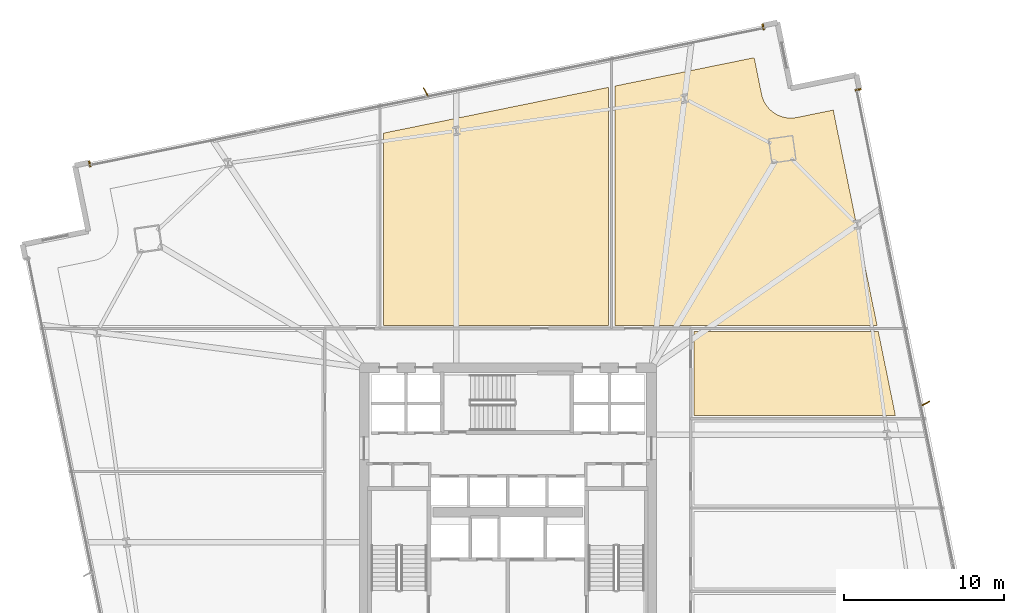
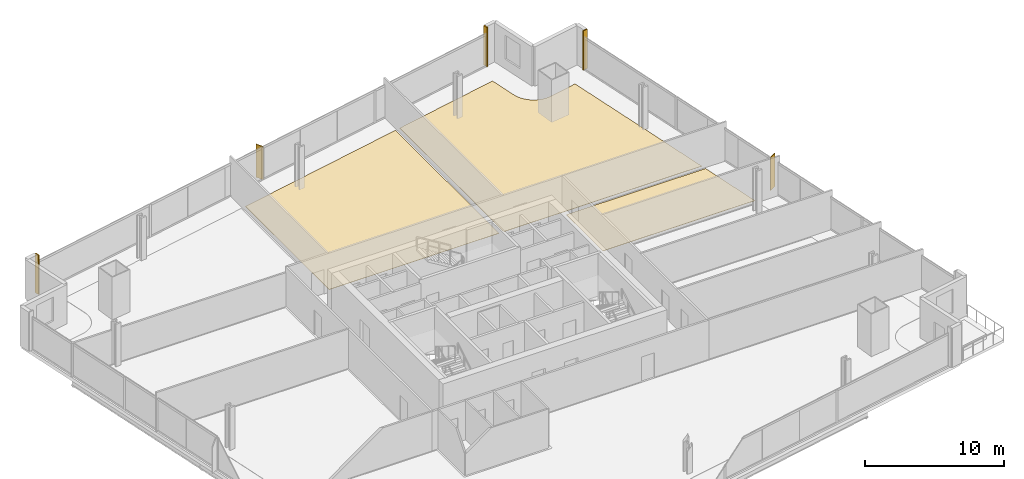
# One storey, part 33 of 33: 6 coverings, 2 shading devices.
"""IFC4 building model written with IfcOpenShell, lengths in metres."""

from ifc_helpers import new_model, si_unit, direction, frame, origin, origin_2d, place, context, subcontext, project, spatial, polyline, rectangle, outline, extrude, source, transform, mapped, material, layer, layer_set, type_object, element, save


model = new_model("IFC4")

# Units and contexts
model_context = context("Model", 3, precision=1e-05, world=origin(), true_north=direction((0.0, 1.0)))
body_context = subcontext(model_context, "Body", "Model", "MODEL_VIEW")
ifc_project = project(units=[si_unit("LENGTHUNIT", "METRE"), si_unit("AREAUNIT", "SQUARE_METRE"), si_unit("VOLUMEUNIT", "CUBIC_METRE"), si_unit("PLANEANGLEUNIT", "RADIAN"), si_unit("MASSUNIT", "GRAM", prefix="KILO")], contexts=[model_context])

# Site, building, storey
site_placement = place(None, origin())
site = spatial("IfcSite", under=ifc_project, at=site_placement, CompositionType="ELEMENT")
building_placement = place(site_placement, origin())
building = spatial("IfcBuilding", under=site, at=building_placement, Name="Haldenkirk Collegiate Tower", CompositionType="ELEMENT")
storey_placement = place(building_placement, frame((0.0, 0.0, 66.449951171875)))
storey = spatial("IfcBuildingStorey", under=building, at=storey_placement, Name="L15", CompositionType="ELEMENT", Elevation=66.449951171875)

# Coverings
ifc_material_1 = material(Name="Polished collegiate terrazzo", Category="concrete")
ifc_layer_1 = layer(ifc_material_1, 0.02490234375)
ifc_layer_set_1 = layer_set([ifc_layer_1], Name="Polished collegiate terrazzo")
covering_type_1 = type_object("IfcCoveringType", Name="COV-FLOOR-TERRAZZO", PredefinedType="FLOORING", material=ifc_layer_set_1)
covering_1_placement = place(storey_placement, origin())
element("IfcCovering", 1, at=covering_1_placement, inside=storey, type_object=covering_type_1, Name="L15 academic room finish 04", PredefinedType="FLOORING", context=body_context, shape_type="SweptSolid", body=[
    extrude(outline(polyline([(51.42578125, 53.405517578125), (51.890380859375, 51.122314453125), (51.8916015625, 51.11669921875), (51.93408203125, 50.9501953125), (51.937744140625, 50.93896484375), (51.996337890625, 50.777587890625), (52.000732421875, 50.7666015625), (52.074951171875, 50.61181640625), (52.08056640625, 50.601318359375), (52.16943359375, 50.45458984375), (52.176025390625, 50.444580078125), (52.27880859375, 50.30712890625), (52.28662109375, 50.298095703125), (52.40234375, 50.17138671875), (52.41064453125, 50.1630859375), (52.538330078125, 50.04833984375), (52.547607421875, 50.041015625), (52.685791015625, 49.939208984375), (52.69580078125, 49.9326171875), (52.843505859375, 49.84521484375), (52.853759765625, 49.839599609375), (53.009521484375, 49.766845703125), (53.0205078125, 49.76220703125), (53.182373046875, 49.705078125), (53.193603515625, 49.701904296875), (53.3603515625, 49.660888671875), (53.371826171875, 49.65869140625), (53.5419921875, 49.634033203125), (53.5537109375, 49.633056640625), (53.72509765625, 49.625244140625), (53.73681640625, 49.62548828125), (53.908447265625, 49.634521484375), (53.920166015625, 49.6357421875), (54.08984375, 49.66162109375), (54.095703125, 49.66259765625), (56.37890625, 50.127197265625), (59.120849609375, 36.64990234375), (42.699951171875, 36.64990234375), (42.699951171875, 51.63037109375), (51.42578125, 53.405517578125)])), origin(), (0.0, 0.0, 1.0), 0.025146484375),
])
covering_2_placement = place(storey_placement, origin())
element("IfcCovering", 2, at=covering_2_placement, inside=storey, type_object=covering_type_1, Name="L15 academic room finish 10", PredefinedType="FLOORING", context=body_context, shape_type="SweptSolid", body=[
    extrude(outline(polyline([(60.2705078125, 31.0), (47.64990234375, 31.0), (47.64990234375, 36.25), (59.202392578125, 36.25), (60.2705078125, 31.0)])), origin(), (0.0, 0.0, 1.0), 0.025146484375),
])
ifc_material_2 = material(Name="Engineered collegiate oak acoustic flooring", Category="wood")
ifc_layer_2 = layer(ifc_material_2, 0.02197265625)
ifc_layer_set_2 = layer_set([ifc_layer_2], Name="Engineered collegiate oak acoustic flooring")
covering_type_2 = type_object("IfcCoveringType", Name="COV-FLOOR-TIMBER", PredefinedType="FLOORING", material=ifc_layer_set_2)
covering_3_placement = place(storey_placement, origin())
element("IfcCovering", 3, at=covering_3_placement, inside=storey, type_object=covering_type_2, Name="L15 academic room finish 03", PredefinedType="FLOORING", context=body_context, shape_type="SweptSolid", body=[
    extrude(outline(polyline([(42.300048828125, 51.548828125), (42.300048828125, 36.64990234375), (28.199951171875, 36.64990234375), (28.199951171875, 48.680419921875), (42.300048828125, 51.548828125)])), origin(), (0.0, 0.0, 1.0), 0.02197265625),
])
ifc_material_3 = material(Name="Anodised architectural bronze aluminium", Category="aluminium")
ifc_layer_3 = layer(ifc_material_3, 0.06005859375)
ifc_layer_set_3 = layer_set([ifc_layer_3], Name="Anodised architectural bronze aluminium")
covering_type_3 = type_object("IfcCoveringType", Name="COV-CLAD-BRONZE-60", PredefinedType="CLADDING", material=ifc_layer_set_3)
shared_shape_1 = source(origin(), body_context, "Body", "SweptSolid", [
    extrude(rectangle(XDim=0.10009765625, YDim=0.3798828125, at=origin_2d()), origin(), (0.0, 0.0, 1.0), 3.43994140625),
])
for number, where, z_axis, x_axis, name in (
    (4, (57.935791015625, 51.4033203125, 0.0), (0.0, 0.0, 1.0), (0.199367934417, -0.979924704621, 0.0), "L15 recessed curtain-wall bronze jamb closure EJL"),
    (5, (9.816162109375, 46.756591796875, 0.0), (0.0, 0.0, 1.0), (0.979924704621, 0.199367934417, 0.0), "L15 recessed curtain-wall bronze jamb closure NJL"),
    (6, (51.9921875, 55.33740234375, 0.0), (0.0, 0.0, 1.0), (0.979924704621, 0.199367934417, 0.0), "L15 recessed curtain-wall bronze jamb closure NJR"),
):
    element("IfcCovering", number, at=place(storey_placement, frame(where, z_axis=z_axis, x_axis=x_axis)), inside=storey, type_object=covering_type_3, Name=name, PredefinedType="CLADDING", context=body_context, shape_type="MappedRepresentation", body=[
        mapped(shared_shape_1, transform((0.0, 0.0, 0.0), x_axis=(1.0, 0.0, 0.0), y_axis=(0.0, 1.0, 0.0), z_axis=(0.0, 0.0, 1.0), scale=1.0)),
    ])

# Shading devices
ifc_layer_4 = layer(ifc_material_3, 0.06494140625)
ifc_layer_set_4 = layer_set([ifc_layer_4], Name="Anodised architectural bronze aluminium")
shading_device_type = type_object("IfcShadingDeviceType", Name="SHD-FIN-BRONZE-620", PredefinedType="USERDEFINED", material=ifc_layer_set_4)
shared_shape_2 = source(origin(), body_context, "Body", "SweptSolid", [
    extrude(rectangle(XDim=0.6201171875, YDim=0.06494140625, at=origin_2d()), origin(), (0.0, 0.0, 1.0), 2.89111328125),
])
for number, where, z_axis, x_axis, name in (
    (7, (62.1455078125, 31.740234375, 0.0), (0.0, 0.0, 1.0), (0.887010833178, 0.461748613235, 0.0), "L15 folded bronze solar fin 1"),
    (8, (30.86328125, 51.247802734375, 0.0), (0.0, 0.0, 1.0), (-0.461748613235, 0.887010833178, 0.0), "L15 folded bronze solar fin 1"),
):
    element("IfcShadingDevice", number, at=place(storey_placement, frame(where, z_axis=z_axis, x_axis=x_axis)), inside=storey, type_object=shading_device_type, Name=name, ObjectType="FIN", PredefinedType="USERDEFINED", context=body_context, shape_type="MappedRepresentation", body=[
        mapped(shared_shape_2, transform((0.0, 0.0, 0.0), x_axis=(1.0, 0.0, 0.0), y_axis=(0.0, 1.0, 0.0), z_axis=(0.0, 0.0, 1.0), scale=1.0)),
    ])

save(model, "model.ifc")
